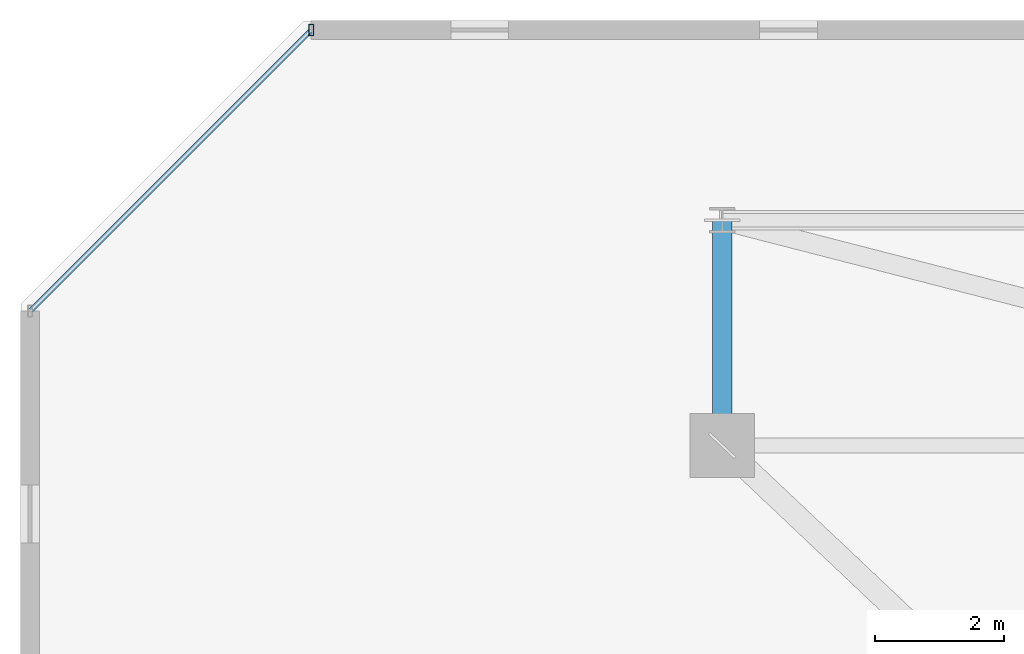
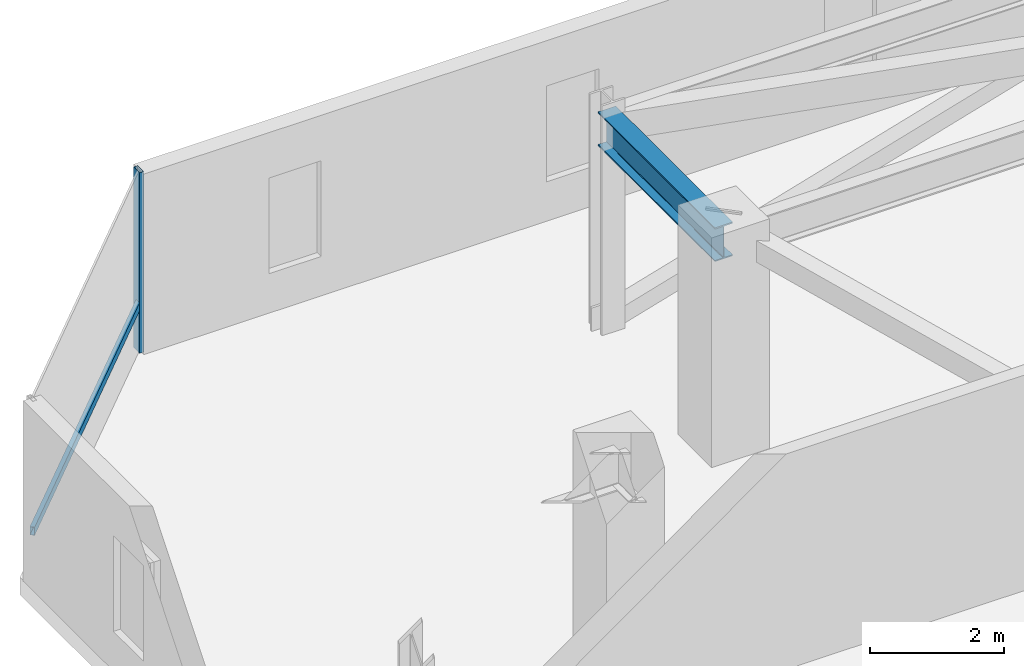
# One storey, part 14 of 42: 2 members, 1 beam, 1 element without a shape of its own.
"""IFC4 building model written with IfcOpenShell, lengths in metres."""

from ifc_helpers import new_model, si_unit, direction, frame, origin, origin_2d, place, context, subcontext, project, spatial, hollow_rectangle, i_section, extrude, material, material_profile, profile_set, type_object, element, aggregate, save


model = new_model("IFC4")

# Units and contexts
model_context = context("Model", 3, precision=1e-05, world=origin(), true_north=direction((0.0, 1.0)))
body_context = subcontext(model_context, "Body", "Model", "MODEL_VIEW")
ifc_project = project(units=[si_unit("LENGTHUNIT", "METRE"), si_unit("AREAUNIT", "SQUARE_METRE"), si_unit("VOLUMEUNIT", "CUBIC_METRE"), si_unit("PLANEANGLEUNIT", "RADIAN"), si_unit("MASSUNIT", "GRAM", prefix="KILO")], contexts=[model_context])

# Site, building, storey
site_placement = place(None, origin())
site = spatial("IfcSite", under=ifc_project, at=site_placement, CompositionType="ELEMENT")
building_placement = place(site_placement, origin())
building = spatial("IfcBuilding", under=site, at=building_placement, Name="Thornwick Lancets Civic Towers", CompositionType="ELEMENT")
storey_placement = place(building_placement, frame((0.0, 0.0, 221.699951171875)))
storey = spatial("IfcBuildingStorey", under=building, at=storey_placement, Name="L59", CompositionType="ELEMENT", Elevation=221.699951171875)

# Beam
ifc_material_1 = material(Name="Steel S355JR", Category="steel")
ifc_material_profile_1 = material_profile(ifc_material_1, i_section(OverallWidth=0.30712890625, OverallDepth=0.6201171875, WebThickness=0.01416015625, FlangeThickness=0.023681640625, FilletRadius=0.0166015625, at=origin_2d()), Name="UKB 610x305x179")
ifc_profile_set_1 = profile_set([ifc_material_profile_1], Name="Steel S355JR")
beam_type = type_object("IfcBeamType", Name="BM_GIRD_610_179", PredefinedType="BEAM", material=ifc_profile_set_1)
beam_placement = place(storey_placement, frame((12.5, 44.300048828125, 3.64990234375), z_axis=(0.0, 1.0, 0.0), x_axis=(-1.0, 0.0, 0.0)))
element("IfcBeam", 1, at=beam_placement, inside=storey, type_object=beam_type, Name="BM-RAD-L59-A07", PredefinedType="BEAM", context=body_context, shape_type="SweptSolid", body=[
    extrude(i_section(OverallWidth=0.30712890625, OverallDepth=0.6201171875, WebThickness=0.01416015625, FlangeThickness=0.023681640625, FilletRadius=0.0166015625, at=origin_2d()), origin(), (0.0, 0.0, 1.0), 3.5),
])

# Curtain wall, members
ifc_material_2 = material(Name="High-zone chamfered-corner unitised glass curtain wall", Category="glass")
curtain_wall_type = type_object("IfcCurtainWallType", Name="CW_SYS_05", PredefinedType="NOTDEFINED", material=ifc_material_2)
curtain_wall_placement = place(storey_placement, origin())
curtain_wall = element("IfcCurtainWall", 2, at=curtain_wall_placement, inside=storey, type_object=curtain_wall_type, Name="L59 Curtain Wall CW-L59-A-E5", PredefinedType="NOTDEFINED")
ifc_material_3 = material(Name="Thermally broken bronze aluminium S355", Category="steel")
ifc_material_profile_2 = material_profile(ifc_material_3, hollow_rectangle(XDim=0.074951171875, YDim=0.179931640625, WallThickness=0.006103515625, at=origin_2d()), Name="RHS 180x75x6")
ifc_profile_set_2 = profile_set([ifc_material_profile_2], Name="Thermally broken bronze aluminium S355")
member_type_1 = type_object("IfcMemberType", Name="CW_MUL_180", PredefinedType="MULLION", material=ifc_profile_set_2)
member_1_placement = place(storey_placement, frame((6.111572265625, 50.7587890625, 0.0), z_axis=(0.0, 0.0, 1.0), x_axis=(1.0, 0.0, 0.0)))
member_1 = element("IfcMember", 3, at=member_1_placement, type_object=member_type_1, Name="CW-L59-A-E5 Mullion 0", PredefinedType="MULLION", context=body_context, shape_type="SweptSolid", body=[
    extrude(hollow_rectangle(XDim=0.074951171875, YDim=0.179931640625, WallThickness=0.006103515625, at=origin_2d()), origin(), (0.0, 0.0, 1.0), 3.300048828125),
])
ifc_material_profile_3 = material_profile(ifc_material_3, hollow_rectangle(XDim=0.074951171875, YDim=0.14990234375, WallThickness=0.0048828125, at=origin_2d()), Name="RHS 150x75x5")
ifc_profile_set_3 = profile_set([ifc_material_profile_3], Name="Thermally broken bronze aluminium S355")
member_type_2 = type_object("IfcMemberType", Name="CW_TRN_150", PredefinedType="USERDEFINED", material=ifc_profile_set_3)
member_2_placement = place(storey_placement, frame((6.097412109375, 50.74462890625, 0.85009765625), z_axis=(-0.707106781187, -0.707106781187, 0.0), x_axis=(0.707106781187, -0.707106781187, 0.0)))
member_2 = element("IfcMember", 4, at=member_2_placement, type_object=member_type_2, Name="CW-L59-A-E5 Transom 0", ObjectType="TRANSOM", PredefinedType="USERDEFINED", context=body_context, shape_type="SweptSolid", body=[
    extrude(hollow_rectangle(XDim=0.074951171875, YDim=0.14990234375, WallThickness=0.0048828125, at=origin_2d()), origin(), (0.0, 0.0, 1.0), 6.140625),
])
aggregate(curtain_wall, [member_1, member_2])

save(model, "model.ifc")
